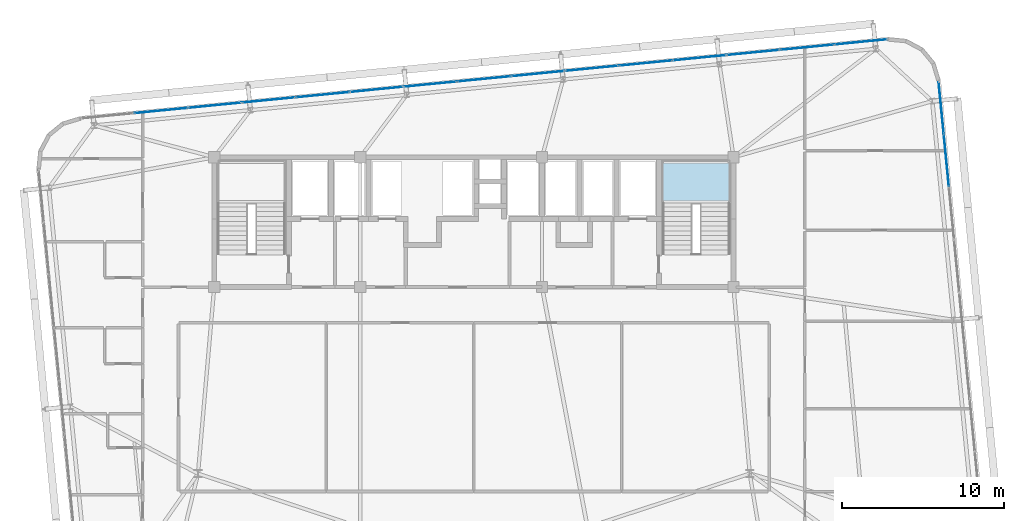
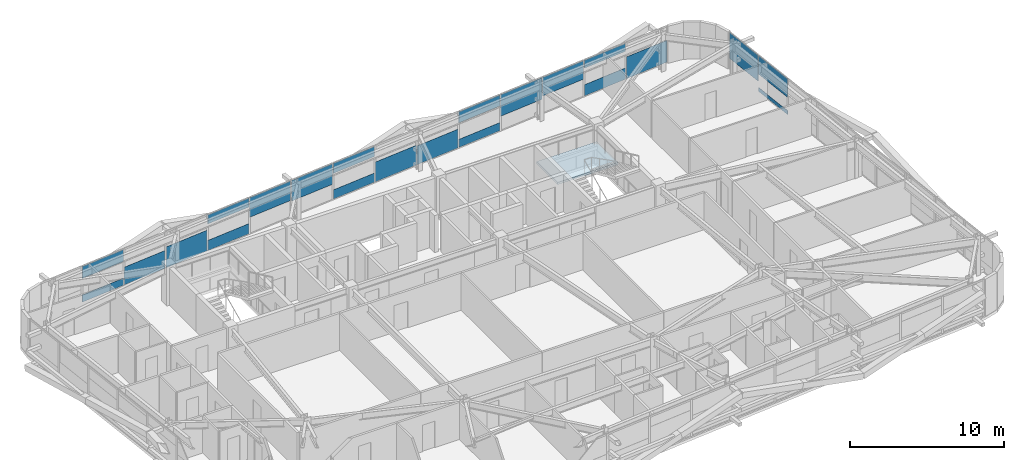
# One storey, part 37 of 53: 22 plates, 1 slab, 3 elements without a shape of their own.
"""IFC4 building model written with IfcOpenShell, lengths in metres."""

import ifcopenshell
import ifcopenshell.guid

model = None  # the IFC model being written
_history = None  # IfcOwnerHistory: only IFC2X3 demands one
_inside = {}  # id of a spatial element -> (the spatial element, [elements in it])
_under = {}  # id of a project, library or spatial element -> (it, [spatial elements below it])
_declared = {}  # id of a project -> (the project, [libraries it declares])
_typed = {}  # id of a type object -> (the type object, [elements of that type])
_made_of = {}  # id of a material, layer set ... -> (it, [elements and type objects made of it])


def new_model(schema):
    """Start an empty IFC model of exactly this schema.

    Asked for "IFC4X3", IfcOpenShell would pick the latest addendum, in which some entities
    have other attributes; the version numbers below select the first issue.
    IFC2X3 requires an IfcOwnerHistory on every rooted entity: one is made here for all.
    """
    global model, _history
    if schema == "IFC4X3":
        model = ifcopenshell.file(schema_version=(4, 3, 0, 0))
    else:
        model = ifcopenshell.file(schema=schema)
    _inside.clear()
    _under.clear()
    _declared.clear()
    _typed.clear()
    _made_of.clear()
    _history = None
    if model.schema == "IFC2X3":
        org = make("IfcOrganization", Name="unknown")
        user = make(
            "IfcPersonAndOrganization",
            ThePerson=make("IfcPerson", FamilyName="unknown"),
            TheOrganization=org,
        )
        app = make(
            "IfcApplication",
            ApplicationDeveloper=org,
            Version="unknown",
            ApplicationFullName="unknown",
            ApplicationIdentifier="unknown",
        )
        _history = make(
            "IfcOwnerHistory",
            OwningUser=user,
            OwningApplication=app,
            ChangeAction="ADDED",
            CreationDate=0,
        )
    return model


def make(cls, **values):
    """One entity of the class cls with the attributes given. An attribute that is None is left unset."""
    return model.create_entity(
        cls, **{name: value for name, value in values.items() if value is not None}
    )


def rooted(cls, **values):
    """An entity with a GlobalId (a new one), such as an element, a storey or a relation."""
    return make(cls, GlobalId=ifcopenshell.guid.new(), OwnerHistory=_history, **values)


def si_unit(unit_type, name, prefix=None):
    """IfcSIUnit, for example si_unit("LENGTHUNIT", "METRE", prefix="MILLI")."""
    return make("IfcSIUnit", UnitType=unit_type, Prefix=prefix, Name=name)


def assignment(units):
    """IfcUnitAssignment: the units of a project."""
    return None if units is None else make("IfcUnitAssignment", Units=units)


def point(xyz):
    """IfcCartesianPoint."""
    return None if xyz is None else make("IfcCartesianPoint", Coordinates=xyz)


def direction(xyz):
    """IfcDirection."""
    return None if xyz is None else make("IfcDirection", DirectionRatios=xyz)


def frame(location, z_axis=None, x_axis=None):
    """IfcAxis2Placement3D, a coordinate frame: its origin and axes. An axis left out is left unset."""
    return make(
        "IfcAxis2Placement3D",
        Location=point(location),
        Axis=direction(z_axis),
        RefDirection=direction(x_axis),
    )


def frame_2d(location, x_axis=None):
    """IfcAxis2Placement2D, a coordinate frame in the plane: its origin and x axis."""
    return make(
        "IfcAxis2Placement2D", Location=point(location), RefDirection=direction(x_axis)
    )


def origin():
    """The frame at (0, 0, 0) with its axes left unset."""
    return frame((0.0, 0.0, 0.0))


def origin_2d():
    """The frame at (0, 0) in the plane with its x axis left unset."""
    return frame_2d((0.0, 0.0))


def place(relative_to, where):
    """IfcLocalPlacement: puts the frame where relative to a parent placement (None: the world)."""
    return make(
        "IfcLocalPlacement", PlacementRelTo=relative_to, RelativePlacement=where
    )


def context(
    kind, dimensions, precision=None, world=None, true_north=None, identifier=None
):
    """IfcGeometricRepresentationContext, for example the 3D "Model" context."""
    return make(
        "IfcGeometricRepresentationContext",
        ContextIdentifier=identifier,
        ContextType=kind,
        CoordinateSpaceDimension=dimensions,
        Precision=precision,
        WorldCoordinateSystem=world,
        TrueNorth=true_north,
    )


def subcontext(parent, identifier, kind, view, scale=None):
    """IfcGeometricRepresentationSubContext, for example "Body" below "Model"."""
    return make(
        "IfcGeometricRepresentationSubContext",
        ContextIdentifier=identifier,
        ContextType=kind,
        ParentContext=parent,
        TargetScale=scale,
        TargetView=view,
    )


def project(units=None, contexts=None):
    """IfcProject with its units and contexts."""
    return rooted(
        "IfcProject",
        Name="project",
        RepresentationContexts=contexts,
        UnitsInContext=assignment(units),
    )


def spatial(cls, under=None, at=None, **own):
    """A site, building, storey or space (cls), placed at a placement, below another one or the project."""
    s = rooted(cls, ObjectPlacement=at, **own)
    if under is not None:
        _under.setdefault(under.id(), (under, []))[1].append(s)
    return s


def polyline(points):
    """IfcPolyline through the points."""
    return make("IfcPolyline", Points=[point(p) for p in points])


def profile(cls, at=None, kind="AREA", **sizes):
    """A parametric profile (cls). Its sizes go by their IFC names, for example OverallWidth=200.0."""
    return make(cls, ProfileType=kind, Position=at, **sizes)


def rectangle(**sizes):
    """IfcRectangleProfileDef."""
    return profile("IfcRectangleProfileDef", **sizes)


def outline(outer, holes=None, kind="AREA"):
    """IfcArbitraryClosedProfileDef: a profile drawn as a closed curve; with holes, ...WithVoids."""
    if holes is None:
        return make("IfcArbitraryClosedProfileDef", ProfileType=kind, OuterCurve=outer)
    return make(
        "IfcArbitraryProfileDefWithVoids",
        ProfileType=kind,
        OuterCurve=outer,
        InnerCurves=holes,
    )


def extrude(swept, where, along, depth):
    """IfcExtrudedAreaSolid: the profile swept, set in the frame where, extruded along a direction by depth."""
    return make(
        "IfcExtrudedAreaSolid",
        SweptArea=swept,
        Position=where,
        ExtrudedDirection=direction(along),
        Depth=depth,
    )


def shape(context_of_items, identifier, shape_type, items):
    """IfcShapeRepresentation: the items that make up one representation, for example the "Body"."""
    return make(
        "IfcShapeRepresentation",
        ContextOfItems=context_of_items,
        RepresentationIdentifier=identifier,
        RepresentationType=shape_type,
        Items=items,
    )


def source(mapping_origin, context_of_items, identifier, shape_type, items):
    """IfcRepresentationMap: a shape defined once, which mapped items show again and again."""
    return make(
        "IfcRepresentationMap",
        MappingOrigin=mapping_origin,
        MappedRepresentation=shape(context_of_items, identifier, shape_type, items),
    )


def transform(
    local_origin,
    x_axis=None,
    y_axis=None,
    z_axis=None,
    scale=None,
    scale2=None,
    scale3=None,
    uniform=True,
):
    """IfcCartesianTransformationOperator3D, or its non-uniform kind. x_axis, y_axis, z_axis: its Axis1, 2, 3."""
    if uniform:
        return make(
            "IfcCartesianTransformationOperator3D",
            Axis1=direction(x_axis),
            Axis2=direction(y_axis),
            LocalOrigin=point(local_origin),
            Scale=scale,
            Axis3=direction(z_axis),
        )
    return make(
        "IfcCartesianTransformationOperator3DnonUniform",
        Axis1=direction(x_axis),
        Axis2=direction(y_axis),
        LocalOrigin=point(local_origin),
        Scale=scale,
        Axis3=direction(z_axis),
        Scale2=scale2,
        Scale3=scale3,
    )


def mapped(mapping_source, mapping_target):
    """IfcMappedItem: shows the shape of a source again, moved by a transform."""
    return make(
        "IfcMappedItem", MappingSource=mapping_source, MappingTarget=mapping_target
    )


def material(Name=None, Category=None):
    """IfcMaterial."""
    return make("IfcMaterial", Name=Name, Category=Category)


def layer(
    of_material, thickness, ventilated=None, Name=None, Category=None, Priority=None
):
    """IfcMaterialLayer: one layer of a wall or slab, of a material (None: an air gap)."""
    return make(
        "IfcMaterialLayer",
        Material=of_material,
        LayerThickness=thickness,
        IsVentilated=ventilated,
        Name=Name,
        Category=Category,
        Priority=Priority,
    )


def layer_set(layers, Name=None):
    """IfcMaterialLayerSet."""
    return make("IfcMaterialLayerSet", MaterialLayers=layers, LayerSetName=Name)


def made_of(thing, what):
    """Note that an element or type object is made of a material, layer set ...; save() writes the relation."""
    if what is not None:
        _made_of.setdefault(what.id(), (what, []))[1].append(thing)
    return thing


def type_object(cls, material=None, **own):
    """A type object (cls), such as IfcWallType, which elements share."""
    return made_of(rooted(cls, **own), material)


def element(
    cls,
    number,
    at=None,
    inside=None,
    cuts=None,
    type_object=None,
    material=None,
    context=None,
    identifier="Body",
    shape_type=None,
    held_by="IfcProductDefinitionShape",
    body=None,
    shapes=None,
    **own,
):
    """One element of the class cls, such as IfcWall. Its Tag is "e" and its number.

    at: its placement. inside: the storey or other place that contains it. cuts: it is an
    opening in that element (IfcRelVoidsElement). A single representation is given by context,
    identifier, shape_type and body (its items); several are given by shapes. held_by: the class
    of the entity that holds the representations. save() writes the other relations.
    """
    e = rooted(cls, Tag="e%d" % number, ObjectPlacement=at, **own)
    if body is not None:
        shapes = [shape(context, identifier, shape_type, body)]
    if shapes is not None:
        e.Representation = make(held_by, Representations=shapes)
    if inside is not None:
        _inside.setdefault(inside.id(), (inside, []))[1].append(e)
    if cuts is not None:
        rooted(
            "IfcRelVoidsElement", RelatingBuildingElement=cuts, RelatedOpeningElement=e
        )
    if type_object is not None:
        _typed.setdefault(type_object.id(), (type_object, []))[1].append(e)
    return made_of(e, material)


def aggregate(whole, parts):
    """IfcRelAggregates: a whole, such as a stair, and the parts it consists of."""
    return rooted("IfcRelAggregates", RelatingObject=whole, RelatedObjects=parts)


def save(model, path):
    """Write the relations noted so far, then the file.

    IfcRelAggregates (storeys below a building ...), IfcRelContainedInSpatialStructure (elements
    in a storey), IfcRelDefinesByType, IfcRelAssociatesMaterial and IfcRelDeclares: one each for
    every whole, place, type object, material and project.
    """
    for whole, parts in _under.values():
        aggregate(whole, parts)
    for where, things in _inside.values():
        rooted(
            "IfcRelContainedInSpatialStructure",
            RelatedElements=things,
            RelatingStructure=where,
        )
    for kind, things in _typed.values():
        rooted("IfcRelDefinesByType", RelatedObjects=things, RelatingType=kind)
    for what, things in _made_of.values():
        rooted("IfcRelAssociatesMaterial", RelatedObjects=things, RelatingMaterial=what)
    for by, libraries in _declared.values():
        rooted("IfcRelDeclares", RelatingContext=by, RelatedDefinitions=libraries)
    model.write(path)


model = new_model("IFC4")

# Units and contexts
model_context = context("Model", 3, precision=1e-05, world=origin(), true_north=direction((0.0, 1.0)))
body_context = subcontext(model_context, "Body", "Model", "MODEL_VIEW")
ifc_project = project(units=[si_unit("LENGTHUNIT", "METRE"), si_unit("AREAUNIT", "SQUARE_METRE"), si_unit("VOLUMEUNIT", "CUBIC_METRE"), si_unit("PLANEANGLEUNIT", "RADIAN"), si_unit("MASSUNIT", "GRAM", prefix="KILO")], contexts=[model_context])

# Site, building, storey
site_placement = place(None, origin())
site = spatial("IfcSite", under=ifc_project, at=site_placement, CompositionType="ELEMENT")
building_placement = place(site_placement, origin())
building = spatial("IfcBuilding", under=site, at=building_placement, Name="Taldren Reach Tower", CompositionType="ELEMENT")
storey_placement = place(building_placement, frame((0.0, 0.0, 68.25)))
storey = spatial("IfcBuildingStorey", under=building, at=storey_placement, Name="L20", CompositionType="ELEMENT", Elevation=68.25)

# Stair, slab
ifc_material_1 = material(Name="Concrete S50 (50 MPa)", Category="concrete")
stair_type = type_object("IfcStairType", Name="ST-HT-315", PredefinedType="HALF_TURN_STAIR", material=ifc_material_1)
stair_placement = place(storey_placement, origin())
stair = element("IfcStair", 1, at=stair_placement, inside=storey, type_object=stair_type, Name="Fire-isolated exit stair ST2 L20", PredefinedType="HALF_TURN_STAIR")
ifc_layer_1 = layer(ifc_material_1, 0.179931640625)
ifc_layer_set_1 = layer_set([ifc_layer_1], Name="Concrete S50 (50 MPa)")
slab_type = type_object("IfcSlabType", Name="SL-LAND-180", PredefinedType="LANDING", material=ifc_layer_set_1)
slab_placement = place(storey_placement, frame((0.0, 0.0, 1.39501953125)))
slab = element("IfcSlab", 2, at=slab_placement, type_object=slab_type, Name="ST2 landing 1", PredefinedType="LANDING", context=body_context, shape_type="SweptSolid", body=[
    extrude(outline(polyline([(46.43994140625, 29.135009765625), (50.9599609375, 29.135009765625), (50.9599609375, 31.8701171875), (46.43994140625, 31.8701171875), (46.43994140625, 29.135009765625)])), origin(), (0.0, 0.0, 1.0), 0.179931640625),
])
aggregate(stair, [slab])

# Curtain wall, plates
ifc_material_2 = material(Name="Aluminium and Low-E Glass Unitised System", Category="aluminium")
ifc_layer_2 = layer(ifc_material_2, 0.159912109375)
ifc_layer_set_2 = layer_set([ifc_layer_2], Name="Aluminium and Low-E Glass Unitised System")
curtain_wall_type = type_object("IfcCurtainWallType", Name="CW-SYS-3", PredefinedType="NOTDEFINED", material=ifc_layer_set_2)
curtain_wall_1_placement = place(storey_placement, origin())
curtain_wall_1 = element("IfcCurtainWall", 3, at=curtain_wall_1_placement, inside=storey, type_object=curtain_wall_type, Name="Unitised curtain wall CW-L20-N", PredefinedType="NOTDEFINED")
ifc_material_3 = material(Name="Solar-Control Double Glazed IGU", Category="glass")
ifc_layer_3 = layer(ifc_material_3, 0.031982421875)
ifc_layer_set_3 = layer_set([ifc_layer_3], Name="Solar-Control Double Glazed IGU")
plate_type = type_object("IfcPlateType", Name="CW-PNL-IGU32", PredefinedType="CURTAIN_PANEL", material=ifc_layer_set_3)
shared_shape_1 = source(origin(), body_context, "Body", "SweptSolid", [
    extrude(rectangle(XDim=3.23583984375, YDim=0.031982421875, at=origin_2d()), origin(), (0.0, 0.0, 1.0), 1.72509765625),
])
plate_1_placement = place(storey_placement, frame((58.83740234375, 39.101318359375, 0.054931640625), z_axis=(0.0, 0.0, 1.0), x_axis=(-0.995227390247, -0.097582999046, 0.0)))
plate_1 = element("IfcPlate", 4, at=plate_1_placement, type_object=plate_type, Name="CW-3 panel 1.1 part 1", PredefinedType="CURTAIN_PANEL", context=body_context, shape_type="MappedRepresentation", body=[
    mapped(shared_shape_1, transform((0.0, 0.0, 0.0), scale=1.0)),
])
shared_shape_2 = source(origin(), body_context, "Body", "SweptSolid", [
    extrude(rectangle(XDim=3.268310546875, YDim=0.031982421875, at=origin_2d()), origin(), (0.0, 0.0, 1.0), 0.88818359375),
])
plate_2_placement = place(storey_placement, frame((55.5361328125, 38.777587890625, 0.05517578125), z_axis=(0.0, 0.0, 1.0), x_axis=(-0.995227390247, -0.097582999046, 0.0)))
plate_2 = element("IfcPlate", 5, at=plate_2_placement, type_object=plate_type, Name="CW-3 panel 2.1 part 1", PredefinedType="CURTAIN_PANEL", context=body_context, shape_type="MappedRepresentation", body=[
    mapped(shared_shape_2, transform((0.0, 0.0, 0.0), scale=1.0)),
])
shared_shape_3 = source(origin(), body_context, "Body", "SweptSolid", [
    extrude(rectangle(XDim=3.268310546875, YDim=0.031982421875, at=origin_2d()), origin(), (0.0, 0.0, 1.0), 0.626953125),
])
plate_3_placement = place(storey_placement, frame((55.5361328125, 38.777587890625, 2.248046875), z_axis=(0.0, 0.0, 1.0), x_axis=(-0.995227390247, -0.097582999046, 0.0)))
plate_3 = element("IfcPlate", 6, at=plate_3_placement, type_object=plate_type, Name="CW-3 panel 2.1 part 2", PredefinedType="CURTAIN_PANEL", context=body_context, shape_type="MappedRepresentation", body=[
    mapped(shared_shape_3, transform((0.0, 0.0, 0.0), scale=1.0)),
])
shared_shape_4 = source(origin(), body_context, "Body", "SweptSolid", [
    extrude(rectangle(XDim=3.268310546875, YDim=0.031982421875, at=origin_2d()), origin(), (0.0, 0.0, 1.0), 1.4638671875),
])
plate_4_placement = place(storey_placement, frame((52.21875, 38.452392578125, 1.4111328125), z_axis=(0.0, 0.0, 1.0), x_axis=(-0.995227390247, -0.097582999046, 0.0)))
plate_4 = element("IfcPlate", 7, at=plate_4_placement, type_object=plate_type, Name="CW-3 panel 3.1 part 1", PredefinedType="CURTAIN_PANEL", context=body_context, shape_type="MappedRepresentation", body=[
    mapped(shared_shape_4, transform((0.0, 0.0, 0.0), scale=1.0)),
])
shared_shape_5 = source(origin(), body_context, "Body", "SweptSolid", [
    extrude(rectangle(XDim=3.268310546875, YDim=0.031982421875, at=origin_2d()), origin(), (0.0, 0.0, 1.0), 1.704833984375),
])
plate_5_placement = place(storey_placement, frame((48.9013671875, 38.126953125, 1.17041015625), z_axis=(0.0, 0.0, 1.0), x_axis=(-0.995227390247, -0.097582999046, 0.0)))
plate_5 = element("IfcPlate", 8, at=plate_5_placement, type_object=plate_type, Name="CW-3 panel 4.1 part 1", PredefinedType="CURTAIN_PANEL", context=body_context, shape_type="MappedRepresentation", body=[
    mapped(shared_shape_5, transform((0.0, 0.0, 0.0), scale=1.0)),
])
shared_shape_6 = source(origin(), body_context, "Body", "SweptSolid", [
    extrude(rectangle(XDim=3.268310546875, YDim=0.031982421875, at=origin_2d()), origin(), (0.0, 0.0, 1.0), 0.647216796875),
])
plate_6_placement = place(storey_placement, frame((45.583740234375, 37.8017578125, 0.05517578125), z_axis=(0.0, 0.0, 1.0), x_axis=(-0.995227390247, -0.097582999046, 0.0)))
plate_6 = element("IfcPlate", 9, at=plate_6_placement, type_object=plate_type, Name="CW-3 panel 5.1 part 1", PredefinedType="CURTAIN_PANEL", context=body_context, shape_type="MappedRepresentation", body=[
    mapped(shared_shape_6, transform((0.0, 0.0, 0.0), scale=1.0)),
])
shared_shape_7 = source(origin(), body_context, "Body", "SweptSolid", [
    extrude(rectangle(XDim=3.268310546875, YDim=0.031982421875, at=origin_2d()), origin(), (0.0, 0.0, 1.0), 0.867919921875),
])
plate_7_placement = place(storey_placement, frame((45.583740234375, 37.8017578125, 2.0068359375), z_axis=(0.0, 0.0, 1.0), x_axis=(-0.995227390247, -0.097582999046, 0.0)))
plate_7 = element("IfcPlate", 10, at=plate_7_placement, type_object=plate_type, Name="CW-3 panel 5.1 part 2", PredefinedType="CURTAIN_PANEL", context=body_context, shape_type="MappedRepresentation", body=[
    mapped(shared_shape_7, transform((0.0, 0.0, 0.0), scale=1.0)),
])
shared_shape_8 = source(origin(), body_context, "Body", "SweptSolid", [
    extrude(rectangle(XDim=3.268310546875, YDim=0.031982421875, at=origin_2d()), origin(), (0.0, 0.0, 1.0), 1.484130859375),
])
plate_8_placement = place(storey_placement, frame((42.266357421875, 37.4765625, 0.05517578125), z_axis=(0.0, 0.0, 1.0), x_axis=(-0.995227390247, -0.097582999046, 0.0)))
plate_8 = element("IfcPlate", 11, at=plate_8_placement, type_object=plate_type, Name="CW-3 panel 6.1 part 1", PredefinedType="CURTAIN_PANEL", context=body_context, shape_type="MappedRepresentation", body=[
    mapped(shared_shape_8, transform((0.0, 0.0, 0.0), scale=1.0)),
])
shared_shape_9 = source(origin(), body_context, "Body", "SweptSolid", [
    extrude(rectangle(XDim=3.268310546875, YDim=0.031982421875, at=origin_2d()), origin(), (0.0, 0.0, 1.0), 1.564453125),
])
plate_9_placement = place(storey_placement, frame((38.948974609375, 37.151123046875, 0.054931640625), z_axis=(0.0, 0.0, 1.0), x_axis=(-0.995227390247, -0.097582999046, 0.0)))
plate_9 = element("IfcPlate", 12, at=plate_9_placement, type_object=plate_type, Name="CW-3 panel 7.1 part 1", PredefinedType="CURTAIN_PANEL", context=body_context, shape_type="MappedRepresentation", body=[
    mapped(shared_shape_9, transform((0.0, 0.0, 0.0), scale=1.0)),
])
shared_shape_10 = source(origin(), body_context, "Body", "SweptSolid", [
    extrude(rectangle(XDim=3.268310546875, YDim=0.031982421875, at=origin_2d()), origin(), (0.0, 0.0, 1.0), 0.7275390625),
])
plate_10_placement = place(storey_placement, frame((35.631591796875, 36.825927734375, 0.054931640625), z_axis=(0.0, 0.0, 1.0), x_axis=(-0.995227390247, -0.097582999046, 0.0)))
plate_10 = element("IfcPlate", 13, at=plate_10_placement, type_object=plate_type, Name="CW-3 panel 8.1 part 1", PredefinedType="CURTAIN_PANEL", context=body_context, shape_type="MappedRepresentation", body=[
    mapped(shared_shape_10, transform((0.0, 0.0, 0.0), scale=1.0)),
])
shared_shape_11 = source(origin(), body_context, "Body", "SweptSolid", [
    extrude(rectangle(XDim=3.268310546875, YDim=0.031982421875, at=origin_2d()), origin(), (0.0, 0.0, 1.0), 0.78759765625),
])
plate_11_placement = place(storey_placement, frame((35.631591796875, 36.825927734375, 2.08740234375), z_axis=(0.0, 0.0, 1.0), x_axis=(-0.995227390247, -0.097582999046, 0.0)))
plate_11 = element("IfcPlate", 14, at=plate_11_placement, type_object=plate_type, Name="CW-3 panel 8.1 part 2", PredefinedType="CURTAIN_PANEL", context=body_context, shape_type="MappedRepresentation", body=[
    mapped(shared_shape_11, transform((0.0, 0.0, 0.0), scale=1.0)),
])
shared_shape_12 = source(origin(), body_context, "Body", "SweptSolid", [
    extrude(rectangle(XDim=3.268310546875, YDim=0.031982421875, at=origin_2d()), origin(), (0.0, 0.0, 1.0), 1.62451171875),
])
plate_12_placement = place(storey_placement, frame((32.314208984375, 36.500732421875, 1.25048828125), z_axis=(0.0, 0.0, 1.0), x_axis=(-0.995227390247, -0.097582999046, 0.0)))
plate_12 = element("IfcPlate", 15, at=plate_12_placement, type_object=plate_type, Name="CW-3 panel 9.1 part 1", PredefinedType="CURTAIN_PANEL", context=body_context, shape_type="MappedRepresentation", body=[
    mapped(shared_shape_12, transform((0.0, 0.0, 0.0), scale=1.0)),
])
shared_shape_13 = source(origin(), body_context, "Body", "SweptSolid", [
    extrude(rectangle(XDim=3.268310546875, YDim=0.031982421875, at=origin_2d()), origin(), (0.0, 0.0, 1.0), 1.544189453125),
])
plate_13_placement = place(storey_placement, frame((28.996826171875, 36.17529296875, 1.3310546875), z_axis=(0.0, 0.0, 1.0), x_axis=(-0.995227390247, -0.097582999046, 0.0)))
plate_13 = element("IfcPlate", 16, at=plate_13_placement, type_object=plate_type, Name="CW-3 panel 10.1 part 1", PredefinedType="CURTAIN_PANEL", context=body_context, shape_type="MappedRepresentation", body=[
    mapped(shared_shape_13, transform((0.0, 0.0, 0.0), scale=1.0)),
])
shared_shape_14 = source(origin(), body_context, "Body", "SweptSolid", [
    extrude(rectangle(XDim=3.268310546875, YDim=0.031982421875, at=origin_2d()), origin(), (0.0, 0.0, 1.0), 0.807861328125),
])
plate_14_placement = place(storey_placement, frame((25.67919921875, 35.85009765625, 0.05517578125), z_axis=(0.0, 0.0, 1.0), x_axis=(-0.995227390247, -0.097582999046, 0.0)))
plate_14 = element("IfcPlate", 17, at=plate_14_placement, type_object=plate_type, Name="CW-3 panel 11.1 part 1", PredefinedType="CURTAIN_PANEL", context=body_context, shape_type="MappedRepresentation", body=[
    mapped(shared_shape_14, transform((0.0, 0.0, 0.0), scale=1.0)),
])
shared_shape_15 = source(origin(), body_context, "Body", "SweptSolid", [
    extrude(rectangle(XDim=3.268310546875, YDim=0.031982421875, at=origin_2d()), origin(), (0.0, 0.0, 1.0), 0.707275390625),
])
plate_15_placement = place(storey_placement, frame((25.67919921875, 35.85009765625, 2.16748046875), z_axis=(0.0, 0.0, 1.0), x_axis=(-0.995227390247, -0.097582999046, 0.0)))
plate_15 = element("IfcPlate", 18, at=plate_15_placement, type_object=plate_type, Name="CW-3 panel 11.1 part 2", PredefinedType="CURTAIN_PANEL", context=body_context, shape_type="MappedRepresentation", body=[
    mapped(shared_shape_15, transform((0.0, 0.0, 0.0), scale=1.0)),
])
shared_shape_16 = source(origin(), body_context, "Body", "SweptSolid", [
    extrude(rectangle(XDim=3.268310546875, YDim=0.031982421875, at=origin_2d()), origin(), (0.0, 0.0, 1.0), 1.644775390625),
])
plate_16_placement = place(storey_placement, frame((22.36181640625, 35.52490234375, 0.05517578125), z_axis=(0.0, 0.0, 1.0), x_axis=(-0.995227390247, -0.097582999046, 0.0)))
plate_16 = element("IfcPlate", 19, at=plate_16_placement, type_object=plate_type, Name="CW-3 panel 12.1 part 1", PredefinedType="CURTAIN_PANEL", context=body_context, shape_type="MappedRepresentation", body=[
    mapped(shared_shape_16, transform((0.0, 0.0, 0.0), scale=1.0)),
])
shared_shape_17 = source(origin(), body_context, "Body", "SweptSolid", [
    extrude(rectangle(XDim=3.268310546875, YDim=0.031982421875, at=origin_2d()), origin(), (0.0, 0.0, 1.0), 1.40380859375),
])
plate_17_placement = place(storey_placement, frame((19.04443359375, 35.199462890625, 0.054931640625), z_axis=(0.0, 0.0, 1.0), x_axis=(-0.995227390247, -0.097582999046, 0.0)))
plate_17 = element("IfcPlate", 20, at=plate_17_placement, type_object=plate_type, Name="CW-3 panel 13.1 part 1", PredefinedType="CURTAIN_PANEL", context=body_context, shape_type="MappedRepresentation", body=[
    mapped(shared_shape_17, transform((0.0, 0.0, 0.0), scale=1.0)),
])
shared_shape_18 = source(origin(), body_context, "Body", "SweptSolid", [
    extrude(rectangle(XDim=3.268310546875, YDim=0.031982421875, at=origin_2d()), origin(), (0.0, 0.0, 1.0), 0.56689453125),
])
plate_18_placement = place(storey_placement, frame((15.72705078125, 34.874267578125, 0.054931640625), z_axis=(0.0, 0.0, 1.0), x_axis=(-0.995227390247, -0.097582999046, 0.0)))
plate_18 = element("IfcPlate", 21, at=plate_18_placement, type_object=plate_type, Name="CW-3 panel 14.1 part 1", PredefinedType="CURTAIN_PANEL", context=body_context, shape_type="MappedRepresentation", body=[
    mapped(shared_shape_18, transform((0.0, 0.0, 0.0), scale=1.0)),
])
shared_shape_19 = source(origin(), body_context, "Body", "SweptSolid", [
    extrude(rectangle(XDim=3.268310546875, YDim=0.031982421875, at=origin_2d()), origin(), (0.0, 0.0, 1.0), 0.9482421875),
])
plate_19_placement = place(storey_placement, frame((15.72705078125, 34.874267578125, 1.9267578125), z_axis=(0.0, 0.0, 1.0), x_axis=(-0.995227390247, -0.097582999046, 0.0)))
plate_19 = element("IfcPlate", 22, at=plate_19_placement, type_object=plate_type, Name="CW-3 panel 14.1 part 2", PredefinedType="CURTAIN_PANEL", context=body_context, shape_type="MappedRepresentation", body=[
    mapped(shared_shape_19, transform((0.0, 0.0, 0.0), scale=1.0)),
])
aggregate(curtain_wall_1, [plate_1, plate_2, plate_3, plate_4, plate_5, plate_6, plate_7, plate_8, plate_9, plate_10, plate_11, plate_12, plate_13, plate_14, plate_15, plate_16, plate_17, plate_18, plate_19])

curtain_wall_2_placement = place(storey_placement, origin())
curtain_wall_2 = element("IfcCurtainWall", 23, at=curtain_wall_2_placement, inside=storey, type_object=curtain_wall_type, Name="Unitised curtain wall CW-L20-E", PredefinedType="NOTDEFINED")
shared_shape_20 = source(origin(), body_context, "Body", "SweptSolid", [
    extrude(rectangle(XDim=3.18017578125, YDim=0.031982421875, at=origin_2d()), origin(), (0.0, 0.0, 1.0), 2.049560546875),
])
plate_20_placement = place(storey_placement, frame((63.79931640625, 35.051025390625, 0.82568359375), z_axis=(0.0, 0.0, 1.0), x_axis=(-0.09758274098, 0.99522741555, 0.0)))
plate_20 = element("IfcPlate", 24, at=plate_20_placement, type_object=plate_type, Name="CW-3 panel 9.1 part 1", PredefinedType="CURTAIN_PANEL", context=body_context, shape_type="MappedRepresentation", body=[
    mapped(shared_shape_20, transform((0.0, 0.0, 0.0), scale=1.0)),
])
shared_shape_21 = source(origin(), body_context, "Body", "SweptSolid", [
    extrude(rectangle(XDim=3.212890625, YDim=0.031982421875, at=origin_2d()), origin(), (0.0, 0.0, 1.0), 0.3046875),
])
plate_21_placement = place(storey_placement, frame((64.117431640625, 31.80517578125, 0.054931640625), z_axis=(0.0, 0.0, 1.0), x_axis=(-0.09758274098, 0.99522741555, 0.0)))
plate_21 = element("IfcPlate", 25, at=plate_21_placement, type_object=plate_type, Name="CW-3 panel 8.1 part 1", PredefinedType="CURTAIN_PANEL", context=body_context, shape_type="MappedRepresentation", body=[
    mapped(shared_shape_21, transform((0.0, 0.0, 0.0), scale=1.0)),
])
shared_shape_22 = source(origin(), body_context, "Body", "SweptSolid", [
    extrude(rectangle(XDim=3.212890625, YDim=0.031982421875, at=origin_2d()), origin(), (0.0, 0.0, 1.0), 1.461669921875),
])
plate_22_placement = place(storey_placement, frame((64.117431640625, 31.80517578125, 1.4130859375), z_axis=(0.0, 0.0, 1.0), x_axis=(-0.09758274098, 0.99522741555, 0.0)))
plate_22 = element("IfcPlate", 26, at=plate_22_placement, type_object=plate_type, Name="CW-3 panel 8.1 part 2", PredefinedType="CURTAIN_PANEL", context=body_context, shape_type="MappedRepresentation", body=[
    mapped(shared_shape_22, transform((0.0, 0.0, 0.0), scale=1.0)),
])
aggregate(curtain_wall_2, [plate_21, plate_22, plate_20])

save(model, "model.ifc")
